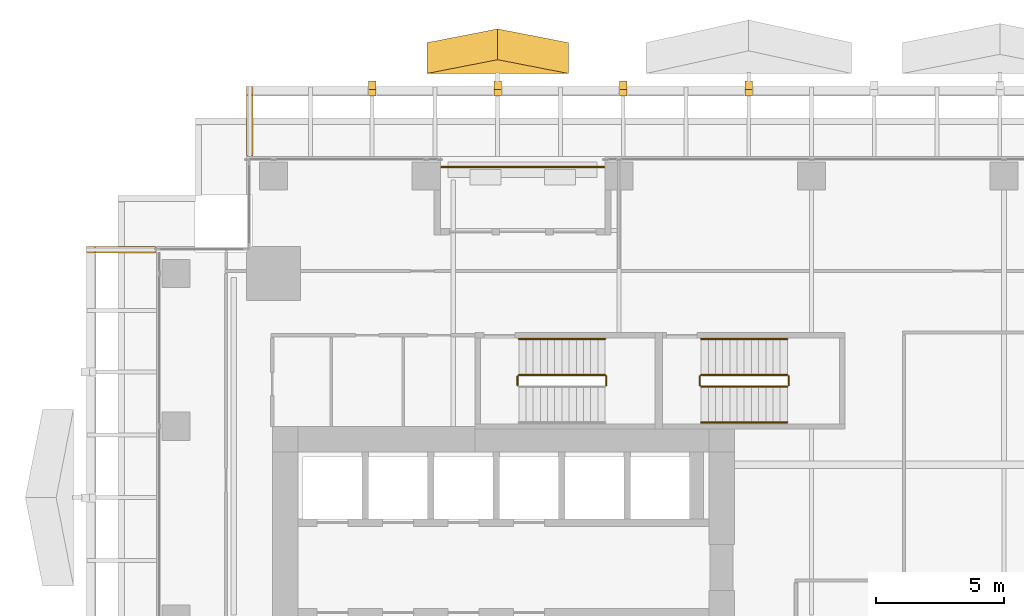
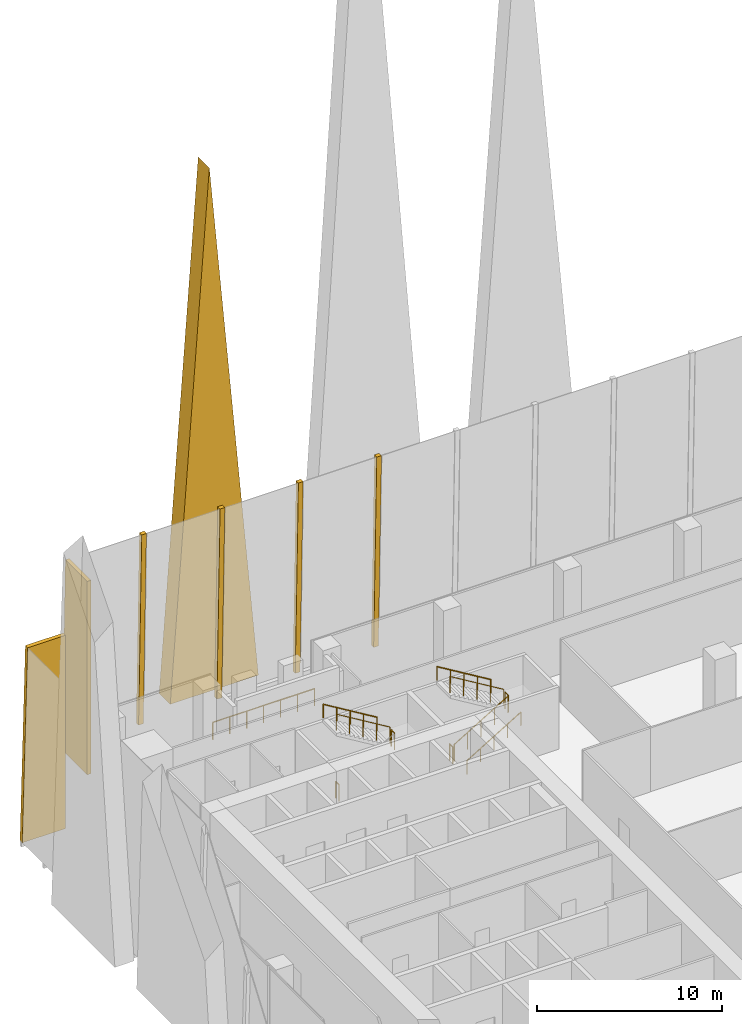
# One storey, part 35 of 37: 11 railings, 7 coverings.
"""IFC4 building model written with IfcOpenShell, lengths in metres."""

from ifc_helpers import new_model, si_unit, direction, frame, origin, origin_2d, place, context, subcontext, project, spatial, polyline, circle, outline, extrude, source, transform, mapped, material, layer, layer_set, type_object, element, save


model = new_model("IFC4")

# Units and contexts
model_context = context("Model", 3, precision=1e-05, world=origin(), true_north=direction((0.0, 1.0)))
body_context = subcontext(model_context, "Body", "Model", "MODEL_VIEW")
ifc_project = project(units=[si_unit("LENGTHUNIT", "METRE"), si_unit("AREAUNIT", "SQUARE_METRE"), si_unit("VOLUMEUNIT", "CUBIC_METRE"), si_unit("PLANEANGLEUNIT", "RADIAN"), si_unit("MASSUNIT", "GRAM", prefix="KILO")], contexts=[model_context])

# Site, building, storey
site_placement = place(None, origin())
site = spatial("IfcSite", under=ifc_project, at=site_placement, CompositionType="ELEMENT")
building_placement = place(site_placement, origin())
building = spatial("IfcBuilding", under=site, at=building_placement, Name="Khomas Fold Tower", CompositionType="ELEMENT")
storey_placement = place(building_placement, frame((0.0, 0.0, 101.5)))
storey = spatial("IfcBuildingStorey", under=building, at=storey_placement, Name="L21", CompositionType="ELEMENT", Elevation=101.5)

# Coverings
ifc_material_1 = material(Name="Natural stone cladding", Category="masonry")
ifc_layer_1 = layer(ifc_material_1, 0.25)
ifc_layer_set_1 = layer_set([ifc_layer_1], Name="Natural stone cladding")
covering_type_1 = type_object("IfcCoveringType", Name="SK-Karibib marble stone mullion", PredefinedType="CLADDING", material=ifc_layer_set_1)
for number, where, z_axis, x_axis, name in (
    (1, (9.73876953125, 55.449951171875, 0.006591796875), (0.0, 0.9996570913, 0.026185870498), (1.0, 0.0, 0.0), "OUTER SKIN mullion L21 N2"),
    (2, (14.627685546875, 55.449951171875, 0.006591796875), (0.0, 0.9996570913, 0.026185870498), (1.0, 0.0, 0.0), "OUTER SKIN mullion L21 N4"),
    (3, (19.5166015625, 55.449951171875, 0.006591796875), (0.0, 0.9996570913, 0.026185870498), (1.0, 0.0, 0.0), "OUTER SKIN mullion L21 N6"),
    (4, (24.405517578125, 55.449951171875, 0.006591796875), (0.0, 0.9996570913, 0.026185870498), (1.0, 0.0, 0.0), "OUTER SKIN mullion L21 N8"),
):
    element("IfcCovering", number, at=place(storey_placement, frame(where, z_axis=z_axis, x_axis=x_axis)), inside=storey, type_object=covering_type_1, Name=name, PredefinedType="CLADDING", context=body_context, shape_type="SweptSolid", body=[
        extrude(outline(polyline([(0.0, 0.0), (0.300048828125, 0.0), (0.300048828125, -12.754373585666375), (0.0, -12.754373585666375), (0.0, 0.0)])), origin(), (0.0, 0.0, -1.0), 0.25),
    ])
covering_1_placement = place(storey_placement, frame((5.0, 52.550048828125, 12.75), z_axis=(-1.0, 0.0, 0.0), x_axis=(0.0, 1.0, 0.0)))
element("IfcCovering", 5, at=covering_1_placement, inside=storey, type_object=covering_type_1, Name="OUTER SKIN return L21 N1", PredefinedType="CLADDING", context=body_context, shape_type="SweptSolid", body=[
    extrude(outline(polyline([(0.0, 0.0), (2.356201171875, 0.0), (2.68994140625, 12.75), (0.0, 12.75), (0.0, 0.0)])), origin(), (0.0, 0.0, -1.0), 0.25),
])
covering_2_placement = place(storey_placement, frame((1.449951171875, 49.0, 0.0), z_axis=(0.0, 1.0, 0.0), x_axis=(-1.0, 0.0, 0.0)))
element("IfcCovering", 6, at=covering_2_placement, inside=storey, type_object=covering_type_1, Name="OUTER SKIN return L21 W2", PredefinedType="CLADDING", context=body_context, shape_type="SweptSolid", body=[
    extrude(outline(polyline([(0.0, 0.0), (2.68994140625, 0.0), (2.356201171875, 12.75), (0.0, 12.75), (0.0, 0.0)])), origin(), (0.0, 0.0, -1.0), 0.25),
])
ifc_material_2 = material(Name="Natural stone cladding", Category="masonry")
ifc_layer_2 = layer(ifc_material_2, 1.199951171875)
ifc_layer_set_2 = layer_set([ifc_layer_2], Name="Natural stone cladding")
covering_type_2 = type_object("IfcCoveringType", Name="SK-Karibib marble stone panel", PredefinedType="CLADDING", material=ifc_layer_set_2)
covering_3_placement = place(storey_placement, frame((12.02783203125, 55.743408203125, 0.25), z_axis=(0.0, -0.999876314612, 0.015727538863), x_axis=(1.0, 0.0, 0.0)))
element("IfcCovering", 7, at=covering_3_placement, inside=storey, type_object=covering_type_2, Name="OUTER SKIN blade L21 NZ2-1", PredefinedType="CLADDING", context=body_context, shape_type="SweptSolid", body=[
    extrude(outline(polyline([(0.0, 0.0), (5.5, 0.0), (2.75, 34.104315861803045), (0.0, 0.0)])), origin(), (0.0, 0.0, -1.0), 1.199951171875),
])

# Railings
ifc_material_3 = material(Name="Powder-coated steel", Category="steel")
railing_type_1 = type_object("IfcRailingType", Name="Balcony guard", PredefinedType="GUARDRAIL", material=ifc_material_3)
shared_shape_1 = source(origin(), body_context, "Body", "SweptSolid", [
    extrude(circle(Radius=0.02490234375, at=origin_2d()), frame((0.0, 0.0, 1.125), z_axis=(1.0, 0.0, 0.0), x_axis=(0.0, 1.0, 0.0)), (0.0, 0.0, 1.0), 6.33984375),
    extrude(circle(Radius=0.02001953125, at=origin_2d()), origin(), (0.0, 0.0, 1.0), 1.099853515625),
    extrude(circle(Radius=0.02001953125, at=origin_2d()), frame((1.056640625, 0.0, 0.0)), (0.0, 0.0, 1.0), 1.099853515625),
    extrude(circle(Radius=0.02001953125, at=origin_2d()), frame((2.11328125, 0.0, 0.0)), (0.0, 0.0, 1.0), 1.099853515625),
    extrude(circle(Radius=0.02001953125, at=origin_2d()), frame((3.169921875, 0.0, 0.0)), (0.0, 0.0, 1.0), 1.099853515625),
    extrude(circle(Radius=0.02001953125, at=origin_2d()), frame((4.2265625, 0.0, 0.0)), (0.0, 0.0, 1.0), 1.099853515625),
    extrude(circle(Radius=0.02001953125, at=origin_2d()), frame((5.283203125, 0.0, 0.0)), (0.0, 0.0, 1.0), 1.099853515625),
    extrude(circle(Radius=0.02001953125, at=origin_2d()), frame((6.33984375, 0.0, 0.0)), (0.0, 0.0, 1.0), 1.099853515625),
])
railing_1_placement = place(storey_placement, frame((12.580078125, 52.10009765625, -0.044921875)))
element("IfcRailing", 8, at=railing_1_placement, inside=storey, type_object=railing_type_1, Name="Balcony guard BAL-L21-N1", PredefinedType="GUARDRAIL", context=body_context, shape_type="MappedRepresentation", body=[
    mapped(shared_shape_1, transform((0.0, 0.0, 0.0))),
])
ifc_material_4 = material(Name="Steel balustrade", Category="steel")
railing_type_2 = type_object("IfcRailingType", Name="Stair guard", PredefinedType="GUARDRAIL", material=ifc_material_4)
shared_shape_2 = source(origin(), body_context, "Body", "SweptSolid", [
    extrude(circle(Radius=0.02392578125, at=origin_2d()), frame((0.0, 0.0, 1.076171875), z_axis=(0.0, 1.0, 0.0), x_axis=(-1.0, 0.0, 0.0)), (0.0, 0.0, 1.0), 0.349853515625),
    extrude(circle(Radius=0.02099609375, at=origin_2d()), origin(), (0.0, 0.0, 1.0), 1.052001953125),
    extrude(circle(Radius=0.02099609375, at=origin_2d()), frame((0.0, 0.349853515625, 0.0)), (0.0, 0.0, 1.0), 1.052001953125),
])
for number, where, name in (
    (9, (19.010009765625, 43.60009765625, 2.199951171875), "L21 ST1 stair guard 2"),
    (10, (15.550048828125, 43.60009765625, 0.0), "L21 ST1 stair guard 4"),
    (11, (26.110107421875, 43.60009765625, 2.199951171875), "L21 ST3 stair guard 2"),
    (12, (22.64990234375, 43.60009765625, 0.0), "L21 ST3 stair guard 4"),
):
    element("IfcRailing", number, at=place(storey_placement, frame(where)), inside=storey, type_object=railing_type_2, Name=name, PredefinedType="GUARDRAIL", context=body_context, shape_type="MappedRepresentation", body=[
        mapped(shared_shape_2, transform((0.0, 0.0, 0.0))),
    ])
shared_shape_3 = source(origin(), body_context, "Body", "SweptSolid", [
    extrude(circle(Radius=0.02392578125, at=origin_2d()), frame((0.0, 0.0, 1.076171875), z_axis=(-0.855820338506, 0.0, 0.51727318527), x_axis=(0.0, -1.0, 0.0)), (0.0, 0.0, 1.0), 3.92578125),
    extrude(circle(Radius=0.02099609375, at=origin_2d()), origin(), (0.0, 0.0, 1.0), 1.052001953125),
    extrude(circle(Radius=0.02099609375, at=origin_2d()), frame((-0.83984375, 0.0, 0.5078125)), (0.0, 0.0, 1.0), 1.052001953125),
    extrude(circle(Radius=0.02099609375, at=origin_2d()), frame((-1.679931640625, 0.0, 1.015380859375)), (0.0, 0.0, 1.0), 1.052001953125),
    extrude(circle(Radius=0.02099609375, at=origin_2d()), frame((-2.52001953125, 0.0, 1.52294921875)), (0.0, 0.0, 1.0), 1.052001953125),
    extrude(circle(Radius=0.02099609375, at=origin_2d()), frame((-3.35986328125, 0.0, 2.03076171875)), (0.0, 0.0, 1.0), 1.052001953125),
])
railing_2_placement = place(storey_placement, frame((18.9599609375, 44.0, 2.369140625)))
element("IfcRailing", 13, at=railing_2_placement, inside=storey, type_object=railing_type_2, Name="L21 ST1 stair guard 3", PredefinedType="GUARDRAIL", context=body_context, shape_type="MappedRepresentation", body=[
    mapped(shared_shape_3, transform((0.0, 0.0, 0.0))),
])
ifc_material_5 = material(Name="Steel handrail", Category="steel")
railing_type_3 = type_object("IfcRailingType", Name="Stair handrail", PredefinedType="HANDRAIL", material=ifc_material_5)
shared_shape_4 = source(origin(), body_context, "Body", "SweptSolid", [
    extrude(circle(Radius=0.02392578125, at=origin_2d()), frame((0.0, 0.0, 0.8759765625), z_axis=(-0.855820338506, 0.0, 0.51727318527), x_axis=(0.0, -1.0, 0.0)), (0.0, 0.0, 1.0), 3.92578125),
    extrude(circle(Radius=0.02099609375, at=origin_2d()), origin(), (0.0, 0.0, 1.0), 0.851806640625),
    extrude(circle(Radius=0.02099609375, at=origin_2d()), frame((-0.83984375, 0.0, 0.5078125)), (0.0, 0.0, 1.0), 0.851806640625),
    extrude(circle(Radius=0.02099609375, at=origin_2d()), frame((-1.679931640625, 0.0, 1.015380859375)), (0.0, 0.0, 1.0), 0.851806640625),
    extrude(circle(Radius=0.02099609375, at=origin_2d()), frame((-2.52001953125, 0.0, 1.52294921875)), (0.0, 0.0, 1.0), 0.851806640625),
    extrude(circle(Radius=0.02099609375, at=origin_2d()), frame((-3.35986328125, 0.0, 2.03076171875)), (0.0, 0.0, 1.0), 0.851806640625),
])
railing_3_placement = place(storey_placement, frame((18.9599609375, 45.39990234375, 2.369140625)))
element("IfcRailing", 14, at=railing_3_placement, inside=storey, type_object=railing_type_3, Name="L21 ST1 stair handrail 2", PredefinedType="HANDRAIL", context=body_context, shape_type="MappedRepresentation", body=[
    mapped(shared_shape_4, transform((0.0, 0.0, 0.0))),
])
shared_shape_5 = source(origin(), body_context, "Body", "SweptSolid", [
    extrude(circle(Radius=0.02392578125, at=origin_2d()), frame((0.0, 0.0, 1.076171875), z_axis=(0.855836976705, 0.0, 0.517245656632), x_axis=(0.0, 1.0, 0.0)), (0.0, 0.0, 1.0), 3.926025390625),
    extrude(circle(Radius=0.02099609375, at=origin_2d()), origin(), (0.0, 0.0, 1.0), 1.052001953125),
    extrude(circle(Radius=0.02099609375, at=origin_2d()), frame((0.840087890625, 0.0, 0.5078125)), (0.0, 0.0, 1.0), 1.052001953125),
    extrude(circle(Radius=0.02099609375, at=origin_2d()), frame((1.68017578125, 0.0, 1.015380859375)), (0.0, 0.0, 1.0), 1.052001953125),
    extrude(circle(Radius=0.02099609375, at=origin_2d()), frame((2.52001953125, 0.0, 1.52294921875)), (0.0, 0.0, 1.0), 1.052001953125),
    extrude(circle(Radius=0.02099609375, at=origin_2d()), frame((3.360107421875, 0.0, 2.03076171875)), (0.0, 0.0, 1.0), 1.052001953125),
])
railing_4_placement = place(storey_placement, frame((22.699951171875, 43.550048828125, 0.169189453125)))
element("IfcRailing", 15, at=railing_4_placement, inside=storey, type_object=railing_type_2, Name="L21 ST3 stair guard 1", PredefinedType="GUARDRAIL", context=body_context, shape_type="MappedRepresentation", body=[
    mapped(shared_shape_5, transform((0.0, 0.0, 0.0))),
])
shared_shape_6 = source(origin(), body_context, "Body", "SweptSolid", [
    extrude(circle(Radius=0.02392578125, at=origin_2d()), frame((0.0, 0.0, 1.076171875), z_axis=(-0.855836976705, 0.0, 0.517245656632), x_axis=(0.0, -1.0, 0.0)), (0.0, 0.0, 1.0), 3.926025390625),
    extrude(circle(Radius=0.02099609375, at=origin_2d()), origin(), (0.0, 0.0, 1.0), 1.052001953125),
    extrude(circle(Radius=0.02099609375, at=origin_2d()), frame((-0.840087890625, 0.0, 0.5078125)), (0.0, 0.0, 1.0), 1.052001953125),
    extrude(circle(Radius=0.02099609375, at=origin_2d()), frame((-1.68017578125, 0.0, 1.015380859375)), (0.0, 0.0, 1.0), 1.052001953125),
    extrude(circle(Radius=0.02099609375, at=origin_2d()), frame((-2.52001953125, 0.0, 1.52294921875)), (0.0, 0.0, 1.0), 1.052001953125),
    extrude(circle(Radius=0.02099609375, at=origin_2d()), frame((-3.360107421875, 0.0, 2.03076171875)), (0.0, 0.0, 1.0), 1.052001953125),
])
railing_5_placement = place(storey_placement, frame((26.06005859375, 44.0, 2.369140625)))
element("IfcRailing", 16, at=railing_5_placement, inside=storey, type_object=railing_type_2, Name="L21 ST3 stair guard 3", PredefinedType="GUARDRAIL", context=body_context, shape_type="MappedRepresentation", body=[
    mapped(shared_shape_6, transform((0.0, 0.0, 0.0))),
])
shared_shape_7 = source(origin(), body_context, "Body", "SweptSolid", [
    extrude(circle(Radius=0.02392578125, at=origin_2d()), frame((0.0, 0.0, 0.8759765625), z_axis=(0.855836976705, 0.0, 0.517245656632), x_axis=(0.0, 1.0, 0.0)), (0.0, 0.0, 1.0), 3.926025390625),
    extrude(circle(Radius=0.02099609375, at=origin_2d()), origin(), (0.0, 0.0, 1.0), 0.851806640625),
    extrude(circle(Radius=0.02099609375, at=origin_2d()), frame((0.840087890625, 0.0, 0.5078125)), (0.0, 0.0, 1.0), 0.851806640625),
    extrude(circle(Radius=0.02099609375, at=origin_2d()), frame((1.68017578125, 0.0, 1.015380859375)), (0.0, 0.0, 1.0), 0.851806640625),
    extrude(circle(Radius=0.02099609375, at=origin_2d()), frame((2.52001953125, 0.0, 1.52294921875)), (0.0, 0.0, 1.0), 0.851806640625),
    extrude(circle(Radius=0.02099609375, at=origin_2d()), frame((3.360107421875, 0.0, 2.03076171875)), (0.0, 0.0, 1.0), 0.851806640625),
])
railing_6_placement = place(storey_placement, frame((22.699951171875, 42.14990234375, 0.169189453125)))
element("IfcRailing", 17, at=railing_6_placement, inside=storey, type_object=railing_type_3, Name="L21 ST3 stair handrail 1", PredefinedType="HANDRAIL", context=body_context, shape_type="MappedRepresentation", body=[
    mapped(shared_shape_7, transform((0.0, 0.0, 0.0))),
])
shared_shape_8 = source(origin(), body_context, "Body", "SweptSolid", [
    extrude(circle(Radius=0.02392578125, at=origin_2d()), frame((0.0, 0.0, 0.8759765625), z_axis=(-0.855836976705, 0.0, 0.517245656632), x_axis=(0.0, -1.0, 0.0)), (0.0, 0.0, 1.0), 3.926025390625),
    extrude(circle(Radius=0.02099609375, at=origin_2d()), origin(), (0.0, 0.0, 1.0), 0.851806640625),
    extrude(circle(Radius=0.02099609375, at=origin_2d()), frame((-0.840087890625, 0.0, 0.5078125)), (0.0, 0.0, 1.0), 0.851806640625),
    extrude(circle(Radius=0.02099609375, at=origin_2d()), frame((-1.68017578125, 0.0, 1.015380859375)), (0.0, 0.0, 1.0), 0.851806640625),
    extrude(circle(Radius=0.02099609375, at=origin_2d()), frame((-2.52001953125, 0.0, 1.52294921875)), (0.0, 0.0, 1.0), 0.851806640625),
    extrude(circle(Radius=0.02099609375, at=origin_2d()), frame((-3.360107421875, 0.0, 2.03076171875)), (0.0, 0.0, 1.0), 0.851806640625),
])
railing_7_placement = place(storey_placement, frame((26.06005859375, 45.39990234375, 2.369140625)))
element("IfcRailing", 18, at=railing_7_placement, inside=storey, type_object=railing_type_3, Name="L21 ST3 stair handrail 2", PredefinedType="HANDRAIL", context=body_context, shape_type="MappedRepresentation", body=[
    mapped(shared_shape_8, transform((0.0, 0.0, 0.0))),
])

save(model, "model.ifc")
